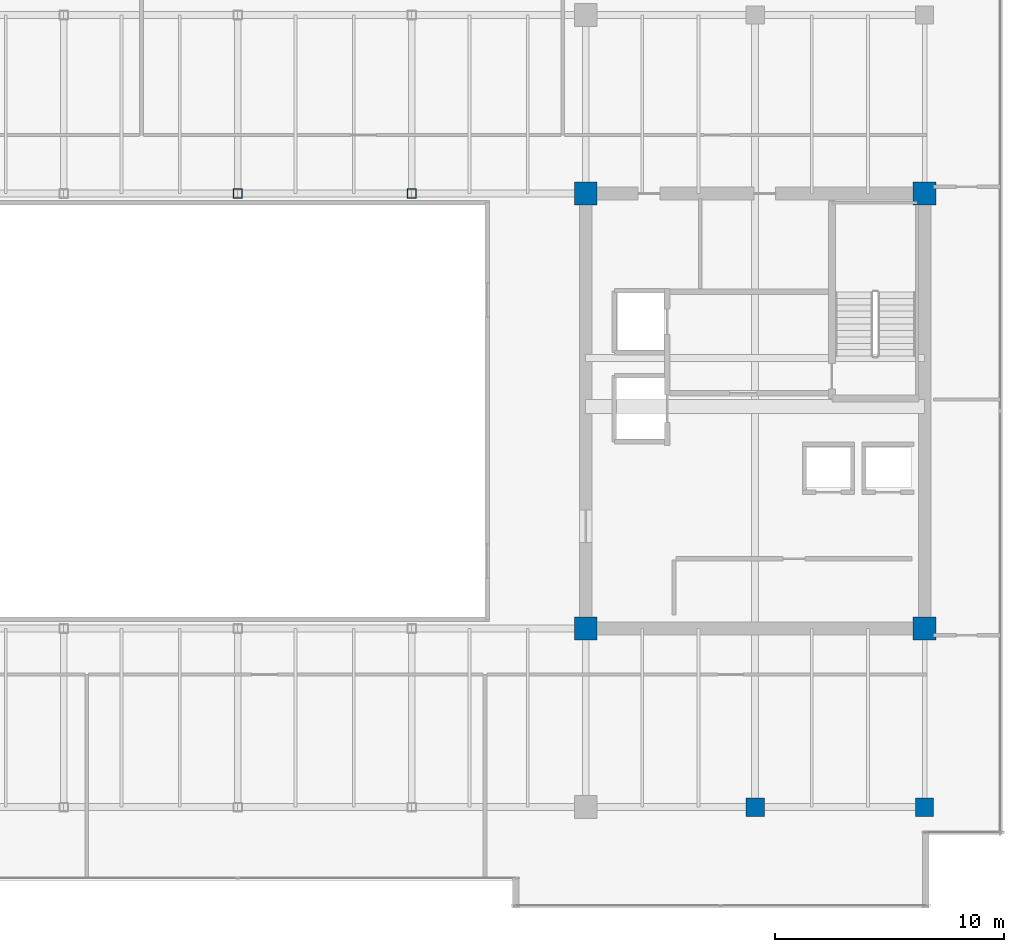
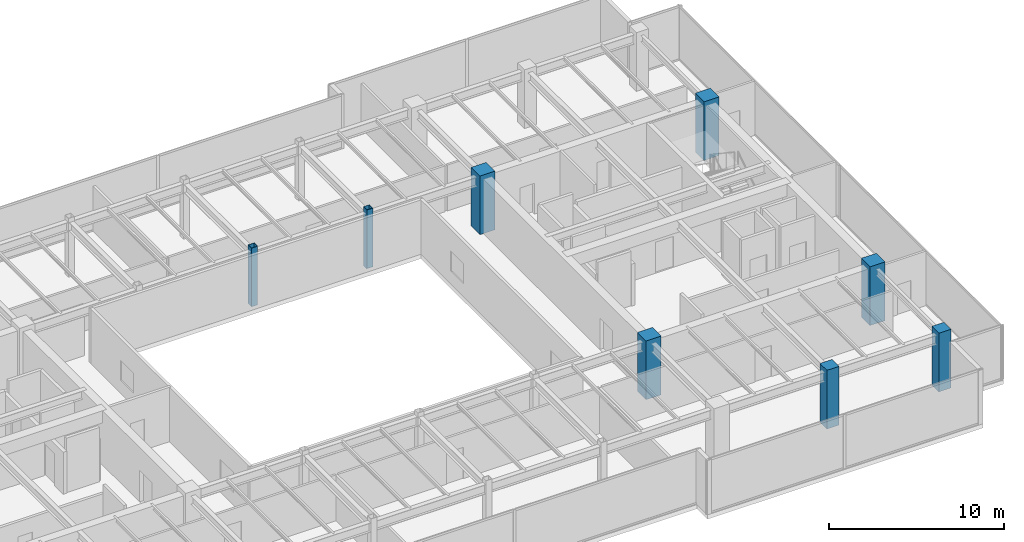
# One storey, part 2 of 33: 8 columns.
"""IFC4 building model written with IfcOpenShell, lengths in metres."""

from ifc_helpers import new_model, si_unit, direction, frame, origin, origin_2d, place, context, subcontext, project, spatial, rectangle, hollow_rectangle, extrude, source, transform, mapped, material, material_profile, profile_set, type_object, type_shapes, element, save


model = new_model("IFC4")

# Units and contexts
model_context = context("Model", 3, precision=1e-05, world=origin(), true_north=direction((0.0, 1.0)))
body_context = subcontext(model_context, "Body", "Model", "MODEL_VIEW")
ifc_project = project(units=[si_unit("LENGTHUNIT", "METRE"), si_unit("AREAUNIT", "SQUARE_METRE"), si_unit("VOLUMEUNIT", "CUBIC_METRE"), si_unit("PLANEANGLEUNIT", "RADIAN"), si_unit("MASSUNIT", "GRAM", prefix="KILO")], contexts=[model_context])

# Site, building, storey
site_placement = place(None, origin())
site = spatial("IfcSite", under=ifc_project, at=site_placement, CompositionType="ELEMENT")
building_placement = place(site_placement, origin())
building = spatial("IfcBuilding", under=site, at=building_placement, Name="Haelvirn Gate Laboratories", CompositionType="ELEMENT")
storey_placement = place(building_placement, frame((0.0, 0.0, 250.60009765625)))
storey = spatial("IfcBuildingStorey", under=building, at=storey_placement, Name="L60", CompositionType="ELEMENT", Elevation=250.60009765625)

# Columns
ifc_material_1 = material(Name="Concrete C60/75", Category="concrete")
ifc_material_profile_1 = material_profile(ifc_material_1, rectangle(XDim=1.0, YDim=1.0, at=origin_2d()), Name="RC-1000x1000")
ifc_profile_set_1 = profile_set([ifc_material_profile_1], Name="Concrete C60/75")
column_type_1 = type_object("IfcColumnType", Name="COL-RC-1000", PredefinedType="COLUMN", material=ifc_profile_set_1)
shared_shape_1 = source(origin(), body_context, "Body", "SweptSolid", [
    extrude(rectangle(XDim=1.0, YDim=1.0, at=origin_2d()), origin(), (0.0, 0.0, 1.0), 4.099853515625),
])
type_shapes(column_type_1, [shared_shape_1])
for number, where, z_axis, x_axis, name in (
    (1, (52.60009765625, 14.800048828125, 0.0), (0.0, 0.0, 1.0), (1.0, 0.0, 0.0), "L60 Column 8C"),
    (2, (67.39990234375, 14.800048828125, 0.0), (0.0, 0.0, 1.0), (1.0, 0.0, 0.0), "L60 Column 10C"),
    (3, (52.60009765625, 33.800048828125, 0.0), (0.0, 0.0, 1.0), (1.0, 0.0, 0.0), "L60 Column 8F"),
    (4, (67.39990234375, 33.800048828125, 0.0), (0.0, 0.0, 1.0), (1.0, 0.0, 0.0), "L60 Column 10F"),
):
    element("IfcColumn", number, at=place(storey_placement, frame(where, z_axis=z_axis, x_axis=x_axis)), inside=storey, type_object=column_type_1, Name=name, PredefinedType="COLUMN", context=body_context, shape_type="MappedRepresentation", body=[
        mapped(shared_shape_1, transform((0.0, 0.0, 0.0), scale=1.0)),
    ])
ifc_material_2 = material(Name="Concrete C50/60", Category="concrete")
ifc_material_profile_2 = material_profile(ifc_material_2, rectangle(XDim=0.800048828125, YDim=0.800048828125, at=origin_2d()), Name="RC-800x800")
ifc_profile_set_2 = profile_set([ifc_material_profile_2], Name="Concrete C50/60")
column_type_2 = type_object("IfcColumnType", Name="COL-RC-800", PredefinedType="COLUMN", material=ifc_profile_set_2)
shared_shape_2 = source(origin(), body_context, "Body", "SweptSolid", [
    extrude(rectangle(XDim=0.800048828125, YDim=0.800048828125, at=origin_2d()), origin(), (0.0, 0.0, 1.0), 4.099853515625),
])
type_shapes(column_type_2, [shared_shape_2])
for number, where, z_axis, x_axis, name in (
    (5, (60.0, 7.0, 0.0), (0.0, 0.0, 1.0), (1.0, 0.0, 0.0), "L60 Column 9B"),
    (6, (67.39990234375, 7.0, 0.0), (0.0, 0.0, 1.0), (1.0, 0.0, 0.0), "L60 Column 10B"),
):
    element("IfcColumn", number, at=place(storey_placement, frame(where, z_axis=z_axis, x_axis=x_axis)), inside=storey, type_object=column_type_2, Name=name, PredefinedType="COLUMN", context=body_context, shape_type="MappedRepresentation", body=[
        mapped(shared_shape_2, transform((0.0, 0.0, 0.0), scale=1.0)),
    ])
ifc_material_3 = material(Name="Steel SM355", Category="steel")
ifc_material_profile_3 = material_profile(ifc_material_3, hollow_rectangle(XDim=0.39990234375, YDim=0.39990234375, WallThickness=0.01904296875, at=origin_2d()), Name="BOX-400x400x19")
ifc_profile_set_3 = profile_set([ifc_material_profile_3], Name="Steel SM355")
column_type_3 = type_object("IfcColumnType", Name="COL-BOX-400", PredefinedType="COLUMN", material=ifc_profile_set_3)
shared_shape_3 = source(origin(), body_context, "Body", "SweptSolid", [
    extrude(hollow_rectangle(XDim=0.39990234375, YDim=0.39990234375, WallThickness=0.01904296875, at=origin_2d()), origin(), (0.0, 0.0, 1.0), 4.099853515625),
])
type_shapes(column_type_3, [shared_shape_3])
for number, where, z_axis, x_axis, name in (
    (7, (37.39990234375, 33.800048828125, 0.0), (0.0, 0.0, 1.0), (1.0, 0.0, 0.0), "L60 Column 6F"),
    (8, (45.0, 33.800048828125, 0.0), (0.0, 0.0, 1.0), (1.0, 0.0, 0.0), "L60 Column 7F"),
):
    element("IfcColumn", number, at=place(storey_placement, frame(where, z_axis=z_axis, x_axis=x_axis)), inside=storey, type_object=column_type_3, Name=name, PredefinedType="COLUMN", context=body_context, shape_type="MappedRepresentation", body=[
        mapped(shared_shape_3, transform((0.0, 0.0, 0.0), scale=1.0)),
    ])

save(model, "model.ifc")
